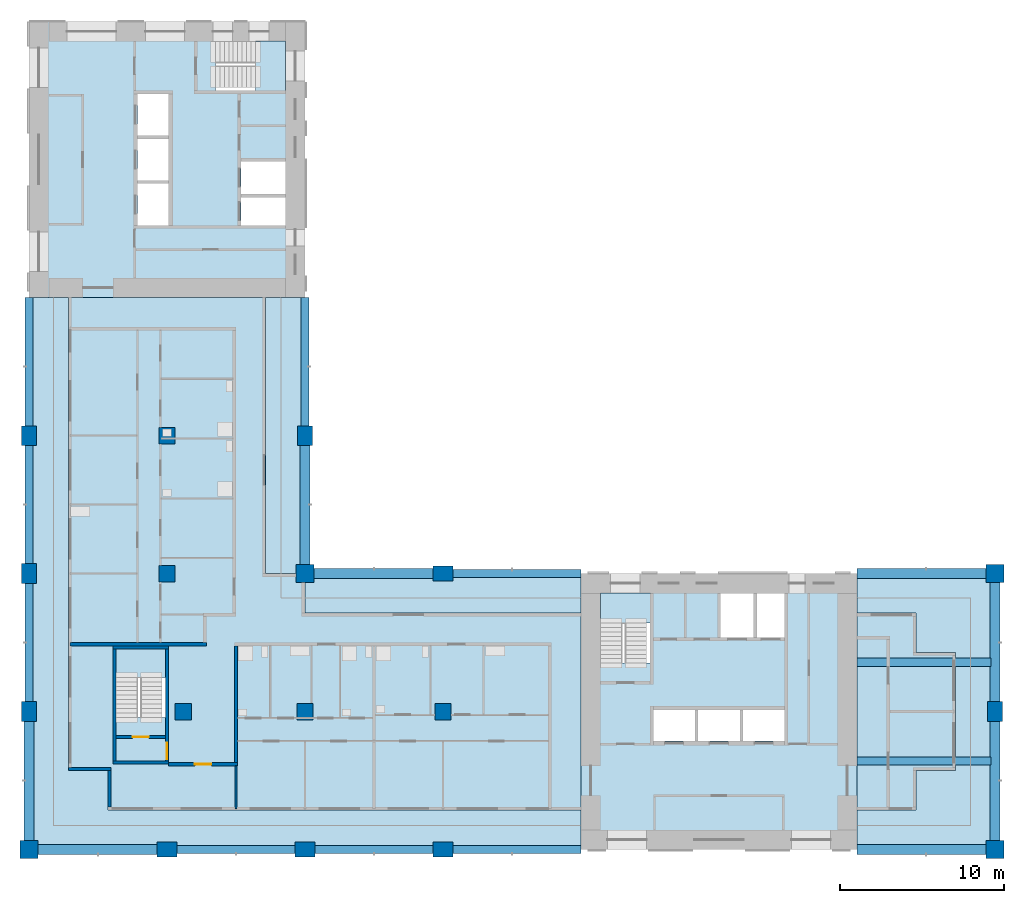
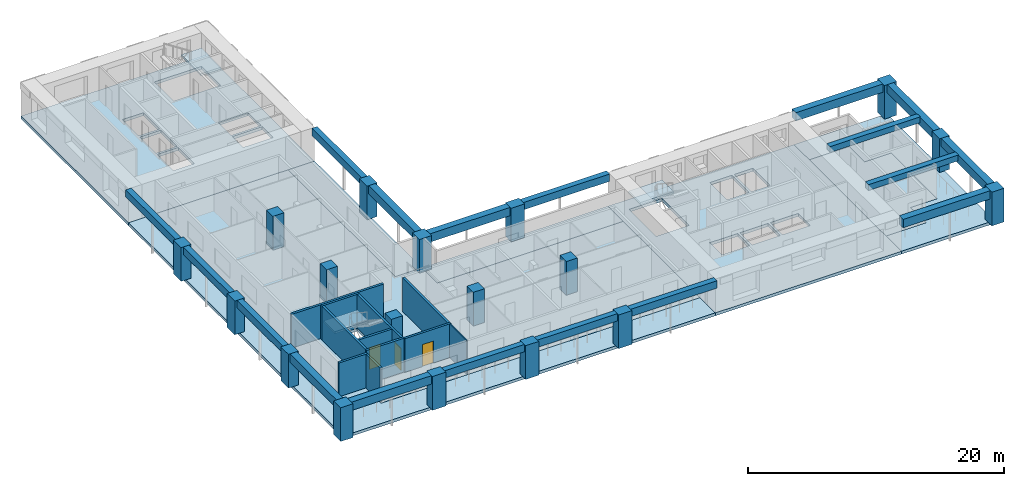
# One storey, part 1 of 10: 18 beams, 18 columns, 12 slabs, 11 walls, 3 doors, 3 openings, 3 elements without a shape of their own.
"""IFC4 building model written with IfcOpenShell, lengths in metres."""

from ifc_helpers import new_model, si_unit, direction, frame, frame_2d, origin, origin_2d, place, context, subcontext, project, spatial, polyline, rectangle, outline, extrude, material, layer, layer_set, material_profile, profile_set, type_object, element, fill, aggregate, save


model = new_model("IFC4")

# Units and contexts
model_context = context("Model", 3, precision=1e-05, world=origin(), true_north=direction((0.0, 1.0)))
body_context = subcontext(model_context, "Body", "Model", "MODEL_VIEW")
ifc_project = project(units=[si_unit("LENGTHUNIT", "METRE"), si_unit("AREAUNIT", "SQUARE_METRE"), si_unit("VOLUMEUNIT", "CUBIC_METRE"), si_unit("PLANEANGLEUNIT", "RADIAN"), si_unit("MASSUNIT", "GRAM", prefix="KILO")], contexts=[model_context])

# Site, building, storey
site_placement = place(None, origin())
site = spatial("IfcSite", under=ifc_project, at=site_placement, CompositionType="ELEMENT")
building_placement = place(site_placement, origin())
building = spatial("IfcBuilding", under=site, at=building_placement, Name="Vermilion Gate Residences", CompositionType="ELEMENT")
storey_placement = place(building_placement, frame((0.0, 0.0, 172.199951171875)))
storey = spatial("IfcBuildingStorey", under=building, at=storey_placement, Name="L44", CompositionType="ELEMENT", Elevation=172.199951171875)

# Columns
ifc_material_1 = material(Name="Concrete C60", Category="concrete")
ifc_material_profile_1 = material_profile(ifc_material_1, rectangle(XDim=1.0, YDim=1.0, at=origin_2d()), Name="RC-1000x1000")
ifc_profile_set_1 = profile_set([ifc_material_profile_1], Name="Concrete C60")
column_type_1 = type_object("IfcColumnType", Name="RC COLUMN 1000 X 1000 C60", PredefinedType="COLUMN", material=ifc_profile_set_1)
for number, where, z_axis, x_axis, name in (
    (1, (17.800048828125, 16.800048828125, 0.0), (0.0, 0.0, 1.0), (1.0, 0.0, 0.0), "Column 3-C L44"),
    (2, (16.800048828125, 25.199951171875, 0.0), (0.0, 0.0, 1.0), (1.0, 0.0, 0.0), "Column 3-D L44"),
    (3, (16.800048828125, 33.60009765625, 0.0), (0.0, 0.0, 1.0), (1.0, 0.0, 0.0), "Column 3-E L44"),
    (4, (25.199951171875, 16.800048828125, 0.0), (0.0, 0.0, 1.0), (1.0, 0.0, 0.0), "Column 4-C L44"),
    (5, (33.60009765625, 16.800048828125, 0.0), (0.0, 0.0, 1.0), (1.0, 0.0, 0.0), "Column 5-C L44"),
):
    element("IfcColumn", number, at=place(storey_placement, frame(where, z_axis=z_axis, x_axis=x_axis)), inside=storey, type_object=column_type_1, Name=name, PredefinedType="COLUMN", context=body_context, shape_type="SweptSolid", body=[
        extrude(rectangle(XDim=1.0, YDim=1.0, at=origin_2d()), origin(), (0.0, 0.0, 1.0), 3.219970703125),
    ])
ifc_material_2 = material(Name="Concrete C60", Category="concrete")
ifc_material_profile_2 = material_profile(ifc_material_2, rectangle(XDim=1.10009765625, YDim=1.10009765625, at=origin_2d()), Name="RC-1100x1100")
ifc_profile_set_2 = profile_set([ifc_material_profile_2], Name="Concrete C60")
column_type_2 = type_object("IfcColumnType", Name="RC COLUMN 1100 X 1100 C60", PredefinedType="COLUMN", material=ifc_profile_set_2)
for number, where, z_axis, x_axis, name in (
    (6, (8.39990234375, 8.39990234375, 0.0), (0.0, 0.0, 1.0), (1.0, 0.0, 0.0), "Column 2-B L44"),
    (7, (25.199951171875, 25.199951171875, 0.0), (0.0, 0.0, 1.0), (1.0, 0.0, 0.0), "Column 4-D L44"),
    (8, (67.199951171875, 8.39990234375, 0.0), (0.0, 0.0, 1.0), (1.0, 0.0, 0.0), "Column 9-B L44"),
    (9, (67.199951171875, 25.199951171875, 0.0), (0.0, 0.0, 1.0), (1.0, 0.0, 0.0), "Column 9-D L44"),
):
    element("IfcColumn", number, at=place(storey_placement, frame(where, z_axis=z_axis, x_axis=x_axis)), inside=storey, type_object=column_type_2, Name=name, PredefinedType="COLUMN", context=body_context, shape_type="SweptSolid", body=[
        extrude(rectangle(XDim=1.10009765625, YDim=1.10009765625, at=origin_2d()), origin(), (0.0, 0.0, 1.0), 3.219970703125),
    ])
ifc_material_3 = material(Name="Concrete C60", Category="concrete")
ifc_material_profile_3 = material_profile(ifc_material_3, rectangle(XDim=1.199951171875, YDim=0.89990234375, at=origin_2d()), Name="RC-1200x900")
ifc_profile_set_3 = profile_set([ifc_material_profile_3], Name="Concrete C60")
column_type_3 = type_object("IfcColumnType", Name="RC COLUMN 1200 X 900 C60", PredefinedType="COLUMN", material=ifc_profile_set_3)
for number, where, z_axis, x_axis, name in (
    (10, (8.39990234375, 16.800048828125, 0.0), (0.0, 0.0, 1.0), (0.0, 1.0, 0.0), "Column 2-C L44"),
    (11, (8.39990234375, 25.199951171875, 0.0), (0.0, 0.0, 1.0), (0.0, 1.0, 0.0), "Column 2-D L44"),
    (12, (8.39990234375, 33.60009765625, 0.0), (0.0, 0.0, 1.0), (0.0, 1.0, 0.0), "Column 2-E L44"),
    (13, (16.800048828125, 8.39990234375, 0.0), (0.0, 0.0, 1.0), (1.0, 0.0, 0.0), "Column 3-B L44"),
    (14, (25.199951171875, 8.39990234375, 0.0), (0.0, 0.0, 1.0), (1.0, 0.0, 0.0), "Column 4-B L44"),
    (15, (25.199951171875, 33.60009765625, 0.0), (0.0, 0.0, 1.0), (0.0, 1.0, 0.0), "Column 4-E L44"),
    (16, (33.60009765625, 8.39990234375, 0.0), (0.0, 0.0, 1.0), (1.0, 0.0, 0.0), "Column 5-B L44"),
    (17, (33.60009765625, 25.199951171875, 0.0), (0.0, 0.0, 1.0), (1.0, 0.0, 0.0), "Column 5-D L44"),
    (18, (67.199951171875, 16.800048828125, 0.0), (0.0, 0.0, 1.0), (0.0, 1.0, 0.0), "Column 9-C L44"),
):
    element("IfcColumn", number, at=place(storey_placement, frame(where, z_axis=z_axis, x_axis=x_axis)), inside=storey, type_object=column_type_3, Name=name, PredefinedType="COLUMN", context=body_context, shape_type="SweptSolid", body=[
        extrude(rectangle(XDim=1.199951171875, YDim=0.89990234375, at=origin_2d()), origin(), (0.0, 0.0, 1.0), 3.219970703125),
    ])

# Beams
ifc_material_4 = material(Name="Concrete C60 red-oxide pigmented", Category="concrete")
ifc_material_profile_4 = material_profile(ifc_material_4, rectangle(XDim=0.60009765625, YDim=0.800048828125, at=origin_2d()), Name="RC-600x800")
ifc_profile_set_4 = profile_set([ifc_material_profile_4], Name="Concrete C60 red-oxide pigmented")
beam_type_1 = type_object("IfcBeamType", Name="RC CORNER EDGE BEAM 600 X 800 C60", PredefinedType="BEAM", material=ifc_profile_set_4)
for number, where, z_axis, x_axis, name in (
    (19, (8.949951171875, 8.39990234375, 2.820068359375), (1.0, 0.0, 0.0), (0.0, 1.0, 0.0), "Corner edge beam L44 1"),
    (20, (8.39990234375, 8.949951171875, 2.820068359375), (0.0, 1.0, 0.0), (-1.0, 0.0, 0.0), "Corner edge beam L44 2"),
    (21, (25.199951171875, 25.75, 2.820068359375), (0.0, 1.0, 0.0), (-1.0, 0.0, 0.0), "Corner edge beam L44 7"),
    (22, (25.75, 25.199951171875, 2.820068359375), (1.0, 0.0, 0.0), (0.0, 1.0, 0.0), "Corner edge beam L44 10"),
):
    element("IfcBeam", number, at=place(storey_placement, frame(where, z_axis=z_axis, x_axis=x_axis)), inside=storey, type_object=beam_type_1, Name=name, PredefinedType="BEAM", context=body_context, shape_type="SweptSolid", body=[
        extrude(rectangle(XDim=0.60009765625, YDim=0.800048828125, at=origin_2d()), origin(), (0.0, 0.0, 1.0), 7.25),
    ])
beam_1_placement = place(storey_placement, frame((58.800048828125, 8.39990234375, 2.820068359375), z_axis=(1.0, 0.0, 0.0), x_axis=(0.0, 1.0, 0.0)))
element("IfcBeam", 23, at=beam_1_placement, inside=storey, type_object=beam_type_1, Name="Corner edge beam L44 13", PredefinedType="BEAM", context=body_context, shape_type="SweptSolid", body=[
    extrude(rectangle(XDim=0.60009765625, YDim=0.800048828125, at=origin_2d()), origin(), (0.0, 0.0, 1.0), 7.849853515625),
])
for number, where, z_axis, x_axis, name in (
    (24, (67.199951171875, 8.949951171875, 2.820068359375), (0.0, 1.0, 0.0), (-1.0, 0.0, 0.0), "Corner edge beam L44 14"),
    (25, (67.199951171875, 17.39990234375, 2.820068359375), (0.0, 1.0, 0.0), (-1.0, 0.0, 0.0), "Corner edge beam L44 15"),
):
    element("IfcBeam", number, at=place(storey_placement, frame(where, z_axis=z_axis, x_axis=x_axis)), inside=storey, type_object=beam_type_1, Name=name, PredefinedType="BEAM", context=body_context, shape_type="SweptSolid", body=[
        extrude(rectangle(XDim=0.60009765625, YDim=0.800048828125, at=origin_2d()), origin(), (0.0, 0.0, 1.0), 7.25),
    ])
beam_2_placement = place(storey_placement, frame((58.800048828125, 25.199951171875, 2.820068359375), z_axis=(1.0, 0.0, 0.0), x_axis=(0.0, 1.0, 0.0)))
element("IfcBeam", 26, at=beam_2_placement, inside=storey, type_object=beam_type_1, Name="Corner edge beam L44 16", PredefinedType="BEAM", context=body_context, shape_type="SweptSolid", body=[
    extrude(rectangle(XDim=0.60009765625, YDim=0.800048828125, at=origin_2d()), origin(), (0.0, 0.0, 1.0), 7.849853515625),
])
ifc_material_5 = material(Name="Concrete C60 red-oxide pigmented", Category="concrete")
ifc_material_profile_5 = material_profile(ifc_material_5, rectangle(XDim=0.5, YDim=0.699951171875, at=origin_2d()), Name="RC-500x700")
ifc_profile_set_5 = profile_set([ifc_material_profile_5], Name="Concrete C60 red-oxide pigmented")
beam_type_2 = type_object("IfcBeamType", Name="RC EDGE BEAM 500 X 700 C60", PredefinedType="BEAM", material=ifc_profile_set_5)
beam_3_placement = place(storey_placement, frame((8.39990234375, 17.39990234375, 2.8701171875), z_axis=(0.0, 1.0, 0.0), x_axis=(-1.0, 0.0, 0.0)))
element("IfcBeam", 27, at=beam_3_placement, inside=storey, type_object=beam_type_2, Name="Edge beam L44 3", PredefinedType="BEAM", context=body_context, shape_type="SweptSolid", body=[
    extrude(rectangle(XDim=0.5, YDim=0.699951171875, at=origin_2d()), origin(), (0.0, 0.0, 1.0), 7.2001953125),
])
beam_4_placement = place(storey_placement, frame((8.39990234375, 25.800048828125, 2.8701171875), z_axis=(0.0, 1.0, 0.0), x_axis=(-1.0, 0.0, 0.0)))
element("IfcBeam", 28, at=beam_4_placement, inside=storey, type_object=beam_type_2, Name="Edge beam L44 4", PredefinedType="BEAM", context=body_context, shape_type="SweptSolid", body=[
    extrude(rectangle(XDim=0.5, YDim=0.699951171875, at=origin_2d()), origin(), (0.0, 0.0, 1.0), 7.199951171875),
])
beam_5_placement = place(storey_placement, frame((8.39990234375, 34.199951171875, 2.8701171875), z_axis=(0.0, 1.0, 0.0), x_axis=(-1.0, 0.0, 0.0)))
element("IfcBeam", 29, at=beam_5_placement, inside=storey, type_object=beam_type_2, Name="Edge beam L44 5", PredefinedType="BEAM", context=body_context, shape_type="SweptSolid", body=[
    extrude(rectangle(XDim=0.5, YDim=0.699951171875, at=origin_2d()), origin(), (0.0, 0.0, 1.0), 7.800048828125),
])
beam_6_placement = place(storey_placement, frame((17.39990234375, 8.39990234375, 2.8701171875), z_axis=(1.0, 0.0, 0.0), x_axis=(0.0, 1.0, 0.0)))
element("IfcBeam", 30, at=beam_6_placement, inside=storey, type_object=beam_type_2, Name="Edge beam L44 6", PredefinedType="BEAM", context=body_context, shape_type="SweptSolid", body=[
    extrude(rectangle(XDim=0.5, YDim=0.699951171875, at=origin_2d()), origin(), (0.0, 0.0, 1.0), 7.2001953125),
])
beam_7_placement = place(storey_placement, frame((25.199951171875, 34.199951171875, 2.8701171875), z_axis=(0.0, 1.0, 0.0), x_axis=(-1.0, 0.0, 0.0)))
element("IfcBeam", 31, at=beam_7_placement, inside=storey, type_object=beam_type_2, Name="Edge beam L44 8", PredefinedType="BEAM", context=body_context, shape_type="SweptSolid", body=[
    extrude(rectangle(XDim=0.5, YDim=0.699951171875, at=origin_2d()), origin(), (0.0, 0.0, 1.0), 7.800048828125),
])
beam_8_placement = place(storey_placement, frame((25.800048828125, 8.39990234375, 2.8701171875), z_axis=(1.0, 0.0, 0.0), x_axis=(0.0, 1.0, 0.0)))
element("IfcBeam", 32, at=beam_8_placement, inside=storey, type_object=beam_type_2, Name="Edge beam L44 9", PredefinedType="BEAM", context=body_context, shape_type="SweptSolid", body=[
    extrude(rectangle(XDim=0.5, YDim=0.699951171875, at=origin_2d()), origin(), (0.0, 0.0, 1.0), 7.199951171875),
])
for number, where, z_axis, x_axis, name in (
    (33, (34.199951171875, 8.39990234375, 2.8701171875), (1.0, 0.0, 0.0), (0.0, 1.0, 0.0), "Edge beam L44 11"),
    (34, (34.199951171875, 25.199951171875, 2.8701171875), (1.0, 0.0, 0.0), (0.0, 1.0, 0.0), "Edge beam L44 12"),
):
    element("IfcBeam", number, at=place(storey_placement, frame(where, z_axis=z_axis, x_axis=x_axis)), inside=storey, type_object=beam_type_2, Name=name, PredefinedType="BEAM", context=body_context, shape_type="SweptSolid", body=[
        extrude(rectangle(XDim=0.5, YDim=0.699951171875, at=origin_2d()), origin(), (0.0, 0.0, 1.0), 7.800048828125),
    ])
ifc_material_6 = material(Name="Concrete C60", Category="concrete")
ifc_material_profile_6 = material_profile(ifc_material_6, rectangle(XDim=0.5, YDim=0.550048828125, at=origin_2d()), Name="RC-500x550")
ifc_profile_set_6 = profile_set([ifc_material_profile_6], Name="Concrete C60")
beam_type_3 = type_object("IfcBeamType", Name="RC WING BEAM 500 X 550 C60", PredefinedType="BEAM", material=ifc_profile_set_6)
for number, where, z_axis, x_axis, name in (
    (35, (58.800048828125, 13.800048828125, 2.945068359375), (1.0, 0.0, 0.0), (0.0, 1.0, 0.0), "Wing-end beam L44 1"),
    (36, (58.800048828125, 19.800048828125, 2.945068359375), (1.0, 0.0, 0.0), (0.0, 1.0, 0.0), "Wing-end beam L44 2"),
):
    element("IfcBeam", number, at=place(storey_placement, frame(where, z_axis=z_axis, x_axis=x_axis)), inside=storey, type_object=beam_type_3, Name=name, PredefinedType="BEAM", context=body_context, shape_type="SweptSolid", body=[
        extrude(rectangle(XDim=0.5, YDim=0.550048828125, at=origin_2d()), origin(), (0.0, 0.0, 1.0), 8.14990234375),
    ])

# Slabs
ifc_material_7 = material(Name="Concrete C50", Category="concrete")
ifc_layer_1 = layer(ifc_material_7, 0.280029296875)
ifc_layer_set_1 = layer_set([ifc_layer_1], Name="RC CORE FLOOR SLAB 280 C50")
slab_type_1 = type_object("IfcSlabType", Name="RC CORE FLOOR SLAB 280 C50", PredefinedType="FLOOR", material=ifc_layer_set_1)
slab_1_placement = place(storey_placement, frame((0.0, 0.0, -0.280029296875)))
element("IfcSlab", 37, at=slab_1_placement, inside=storey, type_object=slab_type_1, Name="Core floor slab A44", PredefinedType="FLOOR", context=body_context, shape_type="SweptSolid", body=[
    extrude(outline(polyline([(42.0, 8.39990234375), (58.800048828125, 8.39990234375), (58.800048828125, 25.199951171875), (42.0, 25.199951171875), (42.0, 8.39990234375)]), holes=[polyline([(46.39990234375, 15.0), (46.39990234375, 16.89990234375), (48.933349609375, 16.89990234375), (48.933349609375, 15.0), (46.39990234375, 15.0)]), polyline([(49.13330078125, 16.89990234375), (51.666748046875, 16.89990234375), (51.666748046875, 15.0), (49.13330078125, 15.0), (49.13330078125, 16.89990234375)]), polyline([(51.86669921875, 16.89990234375), (54.39990234375, 16.89990234375), (54.39990234375, 15.0), (51.86669921875, 15.0), (51.86669921875, 16.89990234375)]), polyline([(43.199951171875, 19.75), (43.199951171875, 24.0), (46.199951171875, 24.0), (46.199951171875, 19.75), (43.199951171875, 19.75)]), polyline([(50.5, 24.0), (52.5, 24.0), (52.5, 21.300048828125), (50.5, 21.300048828125), (50.5, 24.0)]), polyline([(52.699951171875, 24.0), (54.39990234375, 24.0), (54.39990234375, 21.300048828125), (52.699951171875, 21.300048828125), (52.699951171875, 24.0)])]), origin(), (0.0, 0.0, 1.0), 0.280029296875),
])
slab_2_placement = place(storey_placement, frame((0.0, 0.0, -0.280029296875)))
element("IfcSlab", 38, at=slab_2_placement, inside=storey, type_object=slab_type_1, Name="Core floor slab B44", PredefinedType="FLOOR", context=body_context, shape_type="SweptSolid", body=[
    extrude(outline(polyline([(8.39990234375, 42.0), (25.199951171875, 42.0), (25.199951171875, 58.800048828125), (8.39990234375, 58.800048828125), (8.39990234375, 42.0)]), holes=[polyline([(21.300048828125, 46.39990234375), (21.300048828125, 48.10009765625), (24.0, 48.10009765625), (24.0, 46.39990234375), (21.300048828125, 46.39990234375)]), polyline([(15.0, 48.933349609375), (16.89990234375, 48.933349609375), (16.89990234375, 46.39990234375), (15.0, 46.39990234375), (15.0, 48.933349609375)]), polyline([(21.300048828125, 50.300048828125), (24.0, 50.300048828125), (24.0, 48.300048828125), (21.300048828125, 48.300048828125), (21.300048828125, 50.300048828125)]), polyline([(15.0, 49.13330078125), (15.0, 51.666748046875), (16.89990234375, 51.666748046875), (16.89990234375, 49.13330078125), (15.0, 49.13330078125)]), polyline([(15.0, 54.39990234375), (16.89990234375, 54.39990234375), (16.89990234375, 51.86669921875), (15.0, 51.86669921875), (15.0, 54.39990234375)]), polyline([(19.75, 57.60009765625), (24.0, 57.60009765625), (24.0, 54.60009765625), (19.75, 54.60009765625), (19.75, 57.60009765625)])]), origin(), (0.0, 0.0, 1.0), 0.280029296875),
])
slab_3_placement = place(storey_placement, frame((0.0, 0.0, -0.280029296875)))
element("IfcSlab", 39, at=slab_3_placement, inside=storey, type_object=slab_type_1, Name="Apex stair floor slab 44", PredefinedType="FLOOR", context=body_context, shape_type="SweptSolid", body=[
    extrude(outline(polyline([(13.5, 13.60009765625), (16.89990234375, 13.60009765625), (16.89990234375, 20.800048828125), (13.5, 20.800048828125), (13.5, 13.60009765625)]), holes=[polyline([(16.699951171875, 20.60009765625), (16.699951171875, 16.449951171875), (13.699951171875, 16.449951171875), (13.699951171875, 20.60009765625), (16.699951171875, 20.60009765625)])]), origin(), (0.0, 0.0, 1.0), 0.280029296875),
])
ifc_material_8 = material(Name="Concrete C50", Category="concrete")
ifc_layer_2 = layer(ifc_material_8, 0.280029296875)
ifc_layer_set_2 = layer_set([ifc_layer_2], Name="RC FLAT PLATE 280 C50")
slab_type_2 = type_object("IfcSlabType", Name="RC FLAT PLATE 280 C50", PredefinedType="FLOOR", material=ifc_layer_set_2)
slab_4_placement = place(storey_placement, frame((0.0, 0.0, -0.280029296875)))
element("IfcSlab", 40, at=slab_4_placement, inside=storey, type_object=slab_type_2, Name="Floor slab L44", PredefinedType="FLOOR", context=body_context, shape_type="SweptSolid", body=[
    extrude(outline(polyline([(22.800048828125, 25.199951171875), (22.800048828125, 42.0), (10.800048828125, 42.0), (10.800048828125, 13.199951171875), (13.199951171875, 13.199951171875), (13.199951171875, 10.800048828125), (42.0, 10.800048828125), (42.0, 22.800048828125), (25.199951171875, 22.800048828125), (25.199951171875, 25.199951171875), (22.800048828125, 25.199951171875)]), holes=[polyline([(13.5, 13.60009765625), (13.5, 20.800048828125), (16.89990234375, 20.800048828125), (16.89990234375, 13.60009765625), (13.5, 13.60009765625)])]), origin(), (0.0, 0.0, 1.0), 0.280029296875),
])
slab_5_placement = place(storey_placement, frame((0.0, 0.0, -0.280029296875)))
element("IfcSlab", 41, at=slab_5_placement, inside=storey, type_object=slab_type_2, Name="Floor slab L44", PredefinedType="FLOOR", context=body_context, shape_type="SweptSolid", body=[
    extrude(outline(polyline([(58.800048828125, 22.800048828125), (58.800048828125, 10.800048828125), (62.39990234375, 10.800048828125), (62.39990234375, 13.199951171875), (64.800048828125, 13.199951171875), (64.800048828125, 20.39990234375), (62.39990234375, 20.39990234375), (62.39990234375, 22.800048828125), (58.800048828125, 22.800048828125)])), origin(), (0.0, 0.0, 1.0), 0.280029296875),
])
ifc_material_9 = material(Name="Concrete C50 red-oxide pigmented", Category="concrete")
ifc_layer_3 = layer(ifc_material_9, 0.280029296875)
ifc_layer_set_3 = layer_set([ifc_layer_3], Name="RC LOGGIA SLAB 280 C50")
slab_type_3 = type_object("IfcSlabType", Name="RC LOGGIA SLAB 280 C50", PredefinedType="FLOOR", material=ifc_layer_set_3)
slab_6_placement = place(storey_placement, frame((0.0, 0.0, -0.280029296875)))
element("IfcSlab", 42, at=slab_6_placement, inside=storey, type_object=slab_type_3, Name="Loggia slab L44", PredefinedType="FLOOR", context=body_context, shape_type="SweptSolid", body=[
    extrude(outline(polyline([(8.39990234375, 42.0), (8.39990234375, 8.39990234375), (42.0, 8.39990234375), (42.0, 10.800048828125), (13.199951171875, 10.800048828125), (13.199951171875, 13.199951171875), (10.800048828125, 13.199951171875), (10.800048828125, 42.0), (8.39990234375, 42.0)])), origin(), (0.0, 0.0, 1.0), 0.280029296875),
])
slab_7_placement = place(storey_placement, frame((0.0, 0.0, -0.280029296875)))
element("IfcSlab", 43, at=slab_7_placement, inside=storey, type_object=slab_type_3, Name="Loggia slab L44", PredefinedType="FLOOR", context=body_context, shape_type="SweptSolid", body=[
    extrude(outline(polyline([(64.800048828125, 13.199951171875), (62.39990234375, 13.199951171875), (62.39990234375, 10.800048828125), (58.800048828125, 10.800048828125), (58.800048828125, 8.39990234375), (67.199951171875, 8.39990234375), (67.199951171875, 25.199951171875), (58.800048828125, 25.199951171875), (58.800048828125, 22.800048828125), (62.39990234375, 22.800048828125), (62.39990234375, 20.39990234375), (64.800048828125, 20.39990234375), (64.800048828125, 13.199951171875)])), origin(), (0.0, 0.0, 1.0), 0.280029296875),
])
slab_8_placement = place(storey_placement, frame((0.0, 0.0, -0.280029296875)))
element("IfcSlab", 44, at=slab_8_placement, inside=storey, type_object=slab_type_3, Name="Loggia slab L44", PredefinedType="FLOOR", context=body_context, shape_type="SweptSolid", body=[
    extrude(outline(polyline([(42.0, 25.199951171875), (25.199951171875, 25.199951171875), (25.199951171875, 22.800048828125), (42.0, 22.800048828125), (42.0, 25.199951171875)])), origin(), (0.0, 0.0, 1.0), 0.280029296875),
])
slab_9_placement = place(storey_placement, frame((0.0, 0.0, -0.280029296875)))
element("IfcSlab", 45, at=slab_9_placement, inside=storey, type_object=slab_type_3, Name="Loggia slab L44", PredefinedType="FLOOR", context=body_context, shape_type="SweptSolid", body=[
    extrude(outline(polyline([(22.800048828125, 42.0), (22.800048828125, 25.199951171875), (25.199951171875, 25.199951171875), (25.199951171875, 42.0), (22.800048828125, 42.0)])), origin(), (0.0, 0.0, 1.0), 0.280029296875),
])

# Stair, slab
ifc_material_10 = material(Name="Concrete C50", Category="concrete")
stair_type = type_object("IfcStairType", Name="SPECIAL ESCAPE STAIR 1300", PredefinedType="HALF_TURN_STAIR", material=ifc_material_10)
stair_1_placement = place(storey_placement, origin())
stair_1 = element("IfcStair", 46, at=stair_1_placement, inside=storey, type_object=stair_type, Name="Special escape stair STA1-44", PredefinedType="HALF_TURN_STAIR")
ifc_material_11 = material(Name="Concrete C50", Category="concrete")
ifc_layer_4 = layer(ifc_material_11, 0.199951171875)
ifc_layer_set_4 = layer_set([ifc_layer_4], Name="STAIR LANDING 200 C50")
slab_type_4 = type_object("IfcSlabType", Name="STAIR LANDING 200 C50", PredefinedType="LANDING", material=ifc_layer_set_4)
slab_10_placement = place(storey_placement, frame((0.0, 0.0, 1.550048828125)))
slab_10 = element("IfcSlab", 47, at=slab_10_placement, type_object=slab_type_4, Name="STA1-44 landing 1", PredefinedType="LANDING", context=body_context, shape_type="SweptSolid", body=[
    extrude(outline(polyline([(46.219970703125, 22.179931640625), (46.219970703125, 24.02001953125), (43.179931640625, 24.02001953125), (43.179931640625, 22.179931640625), (46.219970703125, 22.179931640625)])), origin(), (0.0, 0.0, 1.0), 0.199951171875),
])
aggregate(stair_1, [slab_10])

stair_2_placement = place(storey_placement, origin())
stair_2 = element("IfcStair", 48, at=stair_2_placement, inside=storey, type_object=stair_type, Name="Special escape stair STB1-44", PredefinedType="HALF_TURN_STAIR")
slab_11_placement = place(storey_placement, frame((0.0, 0.0, 1.550048828125)))
slab_11 = element("IfcSlab", 49, at=slab_11_placement, type_object=slab_type_4, Name="STB1-44 landing 1", PredefinedType="LANDING", context=body_context, shape_type="SweptSolid", body=[
    extrude(outline(polyline([(24.02001953125, 54.580078125), (24.02001953125, 57.6201171875), (22.179931640625, 57.6201171875), (22.179931640625, 54.580078125), (24.02001953125, 54.580078125)])), origin(), (0.0, 0.0, 1.0), 0.199951171875),
])
aggregate(stair_2, [slab_11])

stair_3_placement = place(storey_placement, origin())
stair_3 = element("IfcStair", 50, at=stair_3_placement, inside=storey, type_object=stair_type, Name="Special escape stair STC1-44", PredefinedType="HALF_TURN_STAIR")
slab_12_placement = place(storey_placement, frame((0.0, 0.0, 1.550048828125)))
slab_12 = element("IfcSlab", 51, at=slab_12_placement, type_object=slab_type_4, Name="STC1-44 landing 1", PredefinedType="LANDING", context=body_context, shape_type="SweptSolid", body=[
    extrude(outline(polyline([(16.719970703125, 18.8798828125), (16.719970703125, 20.6201171875), (13.679931640625, 20.6201171875), (13.679931640625, 18.8798828125), (16.719970703125, 18.8798828125)])), origin(), (0.0, 0.0, 1.0), 0.199951171875),
])
aggregate(stair_3, [slab_12])

# Walls
ifc_material_12 = material(Name="Insulated steel stud wall with terracotta rainscreen", Category="masonry")
ifc_layer_5 = layer(ifc_material_12, 0.199951171875)
ifc_layer_set_5 = layer_set([ifc_layer_5], Name="EXTERNAL WALL 200 TERRACOTTA RAINSCREEN")
wall_type_1 = type_object("IfcWallType", Name="EXTERNAL WALL 200 TERRACOTTA RAINSCREEN", PredefinedType="SOLIDWALL", material=ifc_layer_set_5)
wall_1_placement = place(storey_placement, frame((10.800048828125, 13.300048828125, 0.0), z_axis=(0.0, 0.0, 1.0), x_axis=(1.0, 0.0, 0.0)))
element("IfcWall", 52, at=wall_1_placement, inside=storey, type_object=wall_type_1, Name="External wall", PredefinedType="SOLIDWALL", context=body_context, shape_type="SweptSolid", body=[
    extrude(rectangle(XDim=2.599853515625, YDim=0.199951171875, at=frame_2d((1.2998046875, 0.0))), origin(), (0.0, 0.0, 1.0), 3.219970703125),
])
wall_2_placement = place(storey_placement, frame((13.300048828125, 13.199951171875, 0.0), z_axis=(0.0, 0.0, 1.0), x_axis=(0.0, -1.0, 0.0)))
element("IfcWall", 53, at=wall_2_placement, inside=storey, type_object=wall_type_1, Name="External wall", PredefinedType="SOLIDWALL", context=body_context, shape_type="SweptSolid", body=[
    extrude(rectangle(XDim=2.199951171875, YDim=0.199951171875, at=frame_2d((1.10009765625, 0.0))), origin(), (0.0, 0.0, 1.0), 3.219970703125),
])
ifc_material_13 = material(Name="Plasterboard on steel studs", Category="steel")
ifc_layer_6 = layer(ifc_material_13, 0.10009765625)
ifc_layer_set_6 = layer_set([ifc_layer_6], Name="PARTITION 100")
wall_type_2 = type_object("IfcWallType", Name="PARTITION 100", PredefinedType="PARTITIONING", material=ifc_layer_set_6)
wall_3_placement = place(storey_placement, frame((21.0, 10.89990234375, 0.0), z_axis=(0.0, 0.0, 1.0), x_axis=(0.0, 1.0, 0.0)))
element("IfcWall", 54, at=wall_3_placement, inside=storey, type_object=wall_type_2, Name="Partition", PredefinedType="PARTITIONING", context=body_context, shape_type="SweptSolid", body=[
    extrude(rectangle(XDim=2.60009765625, YDim=0.10009765625, at=frame_2d((1.300048828125, 0.0))), origin(), (0.0, 0.0, 1.0), 3.219970703125),
])

# Wall, opening, door
ifc_material_14 = material(Name="Fire-rated plasterboard on steel studs", Category="steel")
ifc_layer_7 = layer(ifc_material_14, 0.199951171875)
ifc_layer_set_7 = layer_set([ifc_layer_7], Name="PARTY WALL 200 EI 120")
wall_type_3 = type_object("IfcWallType", Name="PARTY WALL 200 EI 120", PredefinedType="PARTITIONING", material=ifc_layer_set_7)
wall_4_placement = place(storey_placement, frame((16.89990234375, 13.60009765625, 0.0), z_axis=(0.0, 0.0, 1.0), x_axis=(1.0, 0.0, 0.0)))
wall_4 = element("IfcWall", 55, at=wall_4_placement, inside=storey, type_object=wall_type_3, Name="Party and corridor wall", PredefinedType="PARTITIONING", context=body_context, shape_type="SweptSolid", body=[
    extrude(rectangle(XDim=4.2001953125, YDim=0.199951171875, at=frame_2d((2.10009765625, 0.0))), origin(), (0.0, 0.0, 1.0), 3.219970703125),
])
opening_1_placement = place(wall_4_placement, frame((1.60009765625, 0.0, 0.0)))
opening_1 = element("IfcOpeningElement", 56, at=opening_1_placement, cuts=wall_4, Name="Opening DA43001", PredefinedType="OPENING", context=body_context, shape_type="SweptSolid", body=[
    extrude(rectangle(XDim=1.0, YDim=2.10009765625, at=frame_2d((0.5, 1.050048828125))), frame((0.0, 0.10986328125, 0.0), z_axis=(0.0, -1.0, 0.0), x_axis=(1.0, 0.0, 0.0)), (0.0, 0.0, 1.0), 0.219970703125),
])
ifc_material_15 = material(Name="Steel", Category="steel")
door_type_1 = type_object("IfcDoorType", Name="ENTRANCE DOOR 1000 X 2100 FD30", OperationType="SINGLE_SWING_LEFT", PredefinedType="DOOR", material=ifc_material_15)
door_1_placement = place(opening_1_placement, frame((1.0, 0.0, 0.0), z_axis=(0.0, 0.0, 1.0), x_axis=(-1.0, 0.0, 0.0)))
door_1 = element("IfcDoor", 57, at=door_1_placement, inside=storey, type_object=door_type_1, Name="Entrance door", OperationType="SINGLE_SWING_LEFT", OverallHeight=2.10009765625, OverallWidth=1.0, PredefinedType="DOOR", context=body_context, shape_type="SweptSolid", body=[
    extrude(rectangle(XDim=1.0, YDim=2.10009765625, at=frame_2d((0.5, 1.050048828125))), frame((0.0, 0.02490234375, 0.0), z_axis=(0.0, -1.0, 0.0), x_axis=(1.0, 0.0, 0.0)), (0.0, 0.0, 1.0), 0.050048828125),
])
fill(opening_1, door_1)

# Walls
wall_5_placement = place(storey_placement, frame((10.89990234375, 20.89990234375, 0.0), z_axis=(0.0, 0.0, 1.0), x_axis=(1.0, 0.0, 0.0)))
element("IfcWall", 58, at=wall_5_placement, inside=storey, type_object=wall_type_3, Name="Party and corridor wall", PredefinedType="PARTITIONING", context=body_context, shape_type="SweptSolid", body=[
    extrude(rectangle(XDim=8.300048828125, YDim=0.199951171875, at=frame_2d((4.14990234375, 0.0))), origin(), (0.0, 0.0, 1.0), 3.219970703125),
])
wall_6_placement = place(storey_placement, frame((21.0, 13.699951171875, 0.0), z_axis=(0.0, 0.0, 1.0), x_axis=(0.0, 1.0, 0.0)))
element("IfcWall", 59, at=wall_6_placement, inside=storey, type_object=wall_type_3, Name="Party and corridor wall", PredefinedType="PARTITIONING", context=body_context, shape_type="SweptSolid", body=[
    extrude(rectangle(XDim=7.10009765625, YDim=0.199951171875, at=frame_2d((3.550048828125, 0.0))), origin(), (0.0, 0.0, 1.0), 3.219970703125),
])
ifc_material_16 = material(Name="Concrete C60", Category="concrete")
ifc_layer_8 = layer(ifc_material_16, 0.199951171875)
ifc_layer_set_8 = layer_set([ifc_layer_8], Name="RC CORE INTERNAL WALL 200 C60")
wall_type_4 = type_object("IfcWallType", Name="RC CORE INTERNAL WALL 200 C60", PredefinedType="SHEAR", material=ifc_layer_set_8)
wall_7_placement = place(storey_placement, frame((13.60009765625, 13.800048828125, 0.0), z_axis=(0.0, 0.0, 1.0), x_axis=(0.0, 1.0, 0.0)))
element("IfcWall", 60, at=wall_7_placement, inside=storey, type_object=wall_type_4, Name="Core internal wall C44-W", PredefinedType="SHEAR", context=body_context, shape_type="SweptSolid", body=[
    extrude(rectangle(XDim=6.800048828125, YDim=0.199951171875, at=frame_2d((3.39990234375, 0.0))), origin(), (0.0, 0.0, 1.0), 3.219970703125),
])

# Wall, opening, door
wall_8_placement = place(storey_placement, frame((16.800048828125, 13.800048828125, 0.0), z_axis=(0.0, 0.0, 1.0), x_axis=(0.0, 1.0, 0.0)))
wall_8 = element("IfcWall", 61, at=wall_8_placement, inside=storey, type_object=wall_type_4, Name="Core internal wall C44-E", PredefinedType="SHEAR", context=body_context, shape_type="SweptSolid", body=[
    extrude(rectangle(XDim=6.800048828125, YDim=0.199951171875, at=frame_2d((3.39990234375, 0.0))), origin(), (0.0, 0.0, 1.0), 3.219970703125),
])
opening_2_placement = place(wall_8_placement, frame((0.10009765625, 0.0, 0.0)))
opening_2 = element("IfcOpeningElement", 62, at=opening_2_placement, cuts=wall_8, Name="Opening DK44201", PredefinedType="OPENING", context=body_context, shape_type="SweptSolid", body=[
    extrude(rectangle(XDim=1.0, YDim=2.10009765625, at=frame_2d((0.5, 1.050048828125))), frame((0.0, 0.10986328125, 0.0), z_axis=(0.0, -1.0, 0.0), x_axis=(1.0, 0.0, 0.0)), (0.0, 0.0, 1.0), 0.219970703125),
])
ifc_material_17 = material(Name="Steel", Category="steel")
door_type_2 = type_object("IfcDoorType", Name="FIRE DOOR FD60 1000 X 2100", OperationType="SINGLE_SWING_LEFT", PredefinedType="DOOR", material=ifc_material_17)
door_2_placement = place(opening_2_placement, frame((1.0, 0.0, 0.0), z_axis=(0.0, 0.0, 1.0), x_axis=(-1.0, 0.0, 0.0)))
door_2 = element("IfcDoor", 63, at=door_2_placement, inside=storey, type_object=door_type_2, Name="Stair vestibule door C44", OperationType="SINGLE_SWING_RIGHT", OverallHeight=2.10009765625, OverallWidth=1.0, PredefinedType="DOOR", context=body_context, shape_type="SweptSolid", body=[
    extrude(rectangle(XDim=1.0, YDim=2.10009765625, at=frame_2d((0.5, 1.050048828125))), frame((0.0, 0.02490234375, 0.0), z_axis=(0.0, -1.0, 0.0), x_axis=(1.0, 0.0, 0.0)), (0.0, 0.0, 1.0), 0.050048828125),
])
fill(opening_2, door_2)

# Walls
for number, where, z_axis, x_axis, name in (
    (64, (13.5, 13.699951171875, 0.0), (0.0, 0.0, 1.0), (1.0, 0.0, 0.0), "Core internal wall C44-S"),
    (65, (13.5, 20.699951171875, 0.0), (0.0, 0.0, 1.0), (1.0, 0.0, 0.0), "Core internal wall C44-N"),
):
    element("IfcWall", number, at=place(storey_placement, frame(where, z_axis=z_axis, x_axis=x_axis)), inside=storey, type_object=wall_type_4, Name=name, PredefinedType="SHEAR", context=body_context, shape_type="SweptSolid", body=[
        extrude(rectangle(XDim=3.39990234375, YDim=0.199951171875, at=frame_2d((1.699951171875, 0.0))), origin(), (0.0, 0.0, 1.0), 3.219970703125),
    ])

# Wall, opening, door
wall_9_placement = place(storey_placement, frame((13.699951171875, 15.25, 0.0), z_axis=(0.0, 0.0, 1.0), x_axis=(1.0, 0.0, 0.0)))
wall_9 = element("IfcWall", 66, at=wall_9_placement, inside=storey, type_object=wall_type_4, Name="Core internal wall C44-P", PredefinedType="SHEAR", context=body_context, shape_type="SweptSolid", body=[
    extrude(rectangle(XDim=3.0, YDim=0.199951171875, at=frame_2d((1.5, 0.0))), origin(), (0.0, 0.0, 1.0), 3.219970703125),
])
opening_3_placement = place(wall_9_placement, frame((1.0, 0.0, 0.0)))
opening_3 = element("IfcOpeningElement", 67, at=opening_3_placement, cuts=wall_9, Name="Opening DK44202", PredefinedType="OPENING", context=body_context, shape_type="SweptSolid", body=[
    extrude(rectangle(XDim=1.0, YDim=2.10009765625, at=frame_2d((0.5, 1.050048828125))), frame((0.0, 0.10986328125, 0.0), z_axis=(0.0, -1.0, 0.0), x_axis=(1.0, 0.0, 0.0)), (0.0, 0.0, 1.0), 0.219970703125),
])
door_3_placement = place(opening_3_placement, origin())
door_3 = element("IfcDoor", 68, at=door_3_placement, inside=storey, type_object=door_type_2, Name="Stair door C44", OperationType="SINGLE_SWING_LEFT", OverallHeight=2.10009765625, OverallWidth=1.0, PredefinedType="DOOR", context=body_context, shape_type="SweptSolid", body=[
    extrude(rectangle(XDim=1.0, YDim=2.10009765625, at=frame_2d((0.5, 1.050048828125))), frame((0.0, 0.02490234375, 0.0), z_axis=(0.0, -1.0, 0.0), x_axis=(1.0, 0.0, 0.0)), (0.0, 0.0, 1.0), 0.050048828125),
])
fill(opening_3, door_3)

save(model, "model.ifc")
